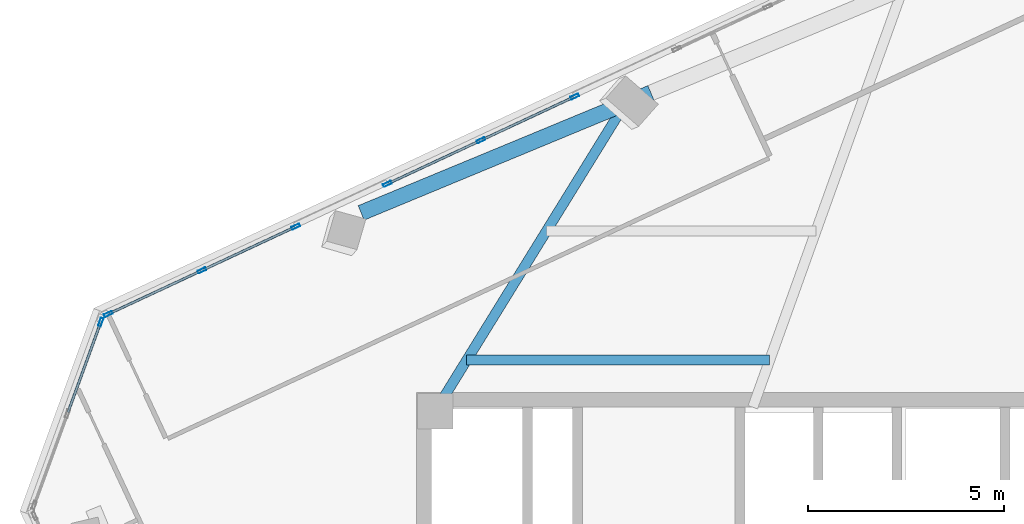
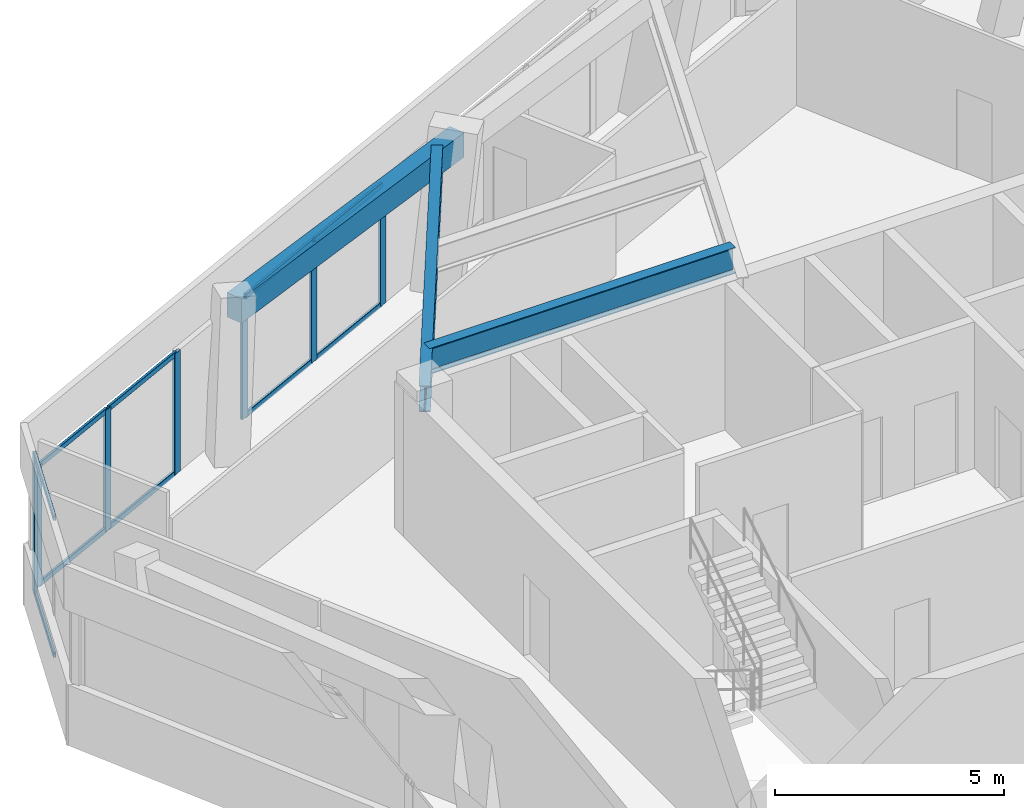
# One storey, part 8 of 16: 17 members, 3 beams, 3 elements without a shape of their own.
"""IFC4 building model written with IfcOpenShell, lengths in metres."""

import ifcopenshell
import ifcopenshell.guid

model = None  # the IFC model being written
_history = None  # IfcOwnerHistory: only IFC2X3 demands one
_inside = {}  # id of a spatial element -> (the spatial element, [elements in it])
_under = {}  # id of a project, library or spatial element -> (it, [spatial elements below it])
_declared = {}  # id of a project -> (the project, [libraries it declares])
_typed = {}  # id of a type object -> (the type object, [elements of that type])
_made_of = {}  # id of a material, layer set ... -> (it, [elements and type objects made of it])


def new_model(schema):
    """Start an empty IFC model of exactly this schema.

    Asked for "IFC4X3", IfcOpenShell would pick the latest addendum, in which some entities
    have other attributes; the version numbers below select the first issue.
    IFC2X3 requires an IfcOwnerHistory on every rooted entity: one is made here for all.
    """
    global model, _history
    if schema == "IFC4X3":
        model = ifcopenshell.file(schema_version=(4, 3, 0, 0))
    else:
        model = ifcopenshell.file(schema=schema)
    _inside.clear()
    _under.clear()
    _declared.clear()
    _typed.clear()
    _made_of.clear()
    _history = None
    if model.schema == "IFC2X3":
        org = make("IfcOrganization", Name="unknown")
        user = make(
            "IfcPersonAndOrganization",
            ThePerson=make("IfcPerson", FamilyName="unknown"),
            TheOrganization=org,
        )
        app = make(
            "IfcApplication",
            ApplicationDeveloper=org,
            Version="unknown",
            ApplicationFullName="unknown",
            ApplicationIdentifier="unknown",
        )
        _history = make(
            "IfcOwnerHistory",
            OwningUser=user,
            OwningApplication=app,
            ChangeAction="ADDED",
            CreationDate=0,
        )
    return model


def make(cls, **values):
    """One entity of the class cls with the attributes given. An attribute that is None is left unset."""
    return model.create_entity(
        cls, **{name: value for name, value in values.items() if value is not None}
    )


def rooted(cls, **values):
    """An entity with a GlobalId (a new one), such as an element, a storey or a relation."""
    return make(cls, GlobalId=ifcopenshell.guid.new(), OwnerHistory=_history, **values)


def si_unit(unit_type, name, prefix=None):
    """IfcSIUnit, for example si_unit("LENGTHUNIT", "METRE", prefix="MILLI")."""
    return make("IfcSIUnit", UnitType=unit_type, Prefix=prefix, Name=name)


def assignment(units):
    """IfcUnitAssignment: the units of a project."""
    return None if units is None else make("IfcUnitAssignment", Units=units)


def point(xyz):
    """IfcCartesianPoint."""
    return None if xyz is None else make("IfcCartesianPoint", Coordinates=xyz)


def direction(xyz):
    """IfcDirection."""
    return None if xyz is None else make("IfcDirection", DirectionRatios=xyz)


def frame(location, z_axis=None, x_axis=None):
    """IfcAxis2Placement3D, a coordinate frame: its origin and axes. An axis left out is left unset."""
    return make(
        "IfcAxis2Placement3D",
        Location=point(location),
        Axis=direction(z_axis),
        RefDirection=direction(x_axis),
    )


def frame_2d(location, x_axis=None):
    """IfcAxis2Placement2D, a coordinate frame in the plane: its origin and x axis."""
    return make(
        "IfcAxis2Placement2D", Location=point(location), RefDirection=direction(x_axis)
    )


def origin():
    """The frame at (0, 0, 0) with its axes left unset."""
    return frame((0.0, 0.0, 0.0))


def origin_2d():
    """The frame at (0, 0) in the plane with its x axis left unset."""
    return frame_2d((0.0, 0.0))


def place(relative_to, where):
    """IfcLocalPlacement: puts the frame where relative to a parent placement (None: the world)."""
    return make(
        "IfcLocalPlacement", PlacementRelTo=relative_to, RelativePlacement=where
    )


def context(
    kind, dimensions, precision=None, world=None, true_north=None, identifier=None
):
    """IfcGeometricRepresentationContext, for example the 3D "Model" context."""
    return make(
        "IfcGeometricRepresentationContext",
        ContextIdentifier=identifier,
        ContextType=kind,
        CoordinateSpaceDimension=dimensions,
        Precision=precision,
        WorldCoordinateSystem=world,
        TrueNorth=true_north,
    )


def subcontext(parent, identifier, kind, view, scale=None):
    """IfcGeometricRepresentationSubContext, for example "Body" below "Model"."""
    return make(
        "IfcGeometricRepresentationSubContext",
        ContextIdentifier=identifier,
        ContextType=kind,
        ParentContext=parent,
        TargetScale=scale,
        TargetView=view,
    )


def project(units=None, contexts=None):
    """IfcProject with its units and contexts."""
    return rooted(
        "IfcProject",
        Name="project",
        RepresentationContexts=contexts,
        UnitsInContext=assignment(units),
    )


def spatial(cls, under=None, at=None, **own):
    """A site, building, storey or space (cls), placed at a placement, below another one or the project."""
    s = rooted(cls, ObjectPlacement=at, **own)
    if under is not None:
        _under.setdefault(under.id(), (under, []))[1].append(s)
    return s


def profile(cls, at=None, kind="AREA", **sizes):
    """A parametric profile (cls). Its sizes go by their IFC names, for example OverallWidth=200.0."""
    return make(cls, ProfileType=kind, Position=at, **sizes)


def rectangle(**sizes):
    """IfcRectangleProfileDef."""
    return profile("IfcRectangleProfileDef", **sizes)


def hollow_rectangle(**sizes):
    """IfcRectangleHollowProfileDef."""
    return profile("IfcRectangleHollowProfileDef", **sizes)


def i_section(**sizes):
    """IfcIShapeProfileDef."""
    return profile("IfcIShapeProfileDef", **sizes)


def extrude(swept, where, along, depth):
    """IfcExtrudedAreaSolid: the profile swept, set in the frame where, extruded along a direction by depth."""
    return make(
        "IfcExtrudedAreaSolid",
        SweptArea=swept,
        Position=where,
        ExtrudedDirection=direction(along),
        Depth=depth,
    )


def shape(context_of_items, identifier, shape_type, items):
    """IfcShapeRepresentation: the items that make up one representation, for example the "Body"."""
    return make(
        "IfcShapeRepresentation",
        ContextOfItems=context_of_items,
        RepresentationIdentifier=identifier,
        RepresentationType=shape_type,
        Items=items,
    )


def source(mapping_origin, context_of_items, identifier, shape_type, items):
    """IfcRepresentationMap: a shape defined once, which mapped items show again and again."""
    return make(
        "IfcRepresentationMap",
        MappingOrigin=mapping_origin,
        MappedRepresentation=shape(context_of_items, identifier, shape_type, items),
    )


def transform(
    local_origin,
    x_axis=None,
    y_axis=None,
    z_axis=None,
    scale=None,
    scale2=None,
    scale3=None,
    uniform=True,
):
    """IfcCartesianTransformationOperator3D, or its non-uniform kind. x_axis, y_axis, z_axis: its Axis1, 2, 3."""
    if uniform:
        return make(
            "IfcCartesianTransformationOperator3D",
            Axis1=direction(x_axis),
            Axis2=direction(y_axis),
            LocalOrigin=point(local_origin),
            Scale=scale,
            Axis3=direction(z_axis),
        )
    return make(
        "IfcCartesianTransformationOperator3DnonUniform",
        Axis1=direction(x_axis),
        Axis2=direction(y_axis),
        LocalOrigin=point(local_origin),
        Scale=scale,
        Axis3=direction(z_axis),
        Scale2=scale2,
        Scale3=scale3,
    )


def mapped(mapping_source, mapping_target):
    """IfcMappedItem: shows the shape of a source again, moved by a transform."""
    return make(
        "IfcMappedItem", MappingSource=mapping_source, MappingTarget=mapping_target
    )


def material(Name=None, Category=None):
    """IfcMaterial."""
    return make("IfcMaterial", Name=Name, Category=Category)


def material_profile(
    of_material, cross_section, Name=None, Category=None, Priority=None
):
    """IfcMaterialProfile: a cross section and its material."""
    return make(
        "IfcMaterialProfile",
        Name=Name,
        Material=of_material,
        Profile=cross_section,
        Priority=Priority,
        Category=Category,
    )


def profile_set(profiles, Name=None, composite=None):
    """IfcMaterialProfileSet."""
    return make(
        "IfcMaterialProfileSet",
        Name=Name,
        MaterialProfiles=profiles,
        CompositeProfile=composite,
    )


def made_of(thing, what):
    """Note that an element or type object is made of a material, layer set ...; save() writes the relation."""
    if what is not None:
        _made_of.setdefault(what.id(), (what, []))[1].append(thing)
    return thing


def type_object(cls, material=None, **own):
    """A type object (cls), such as IfcWallType, which elements share."""
    return made_of(rooted(cls, **own), material)


def element(
    cls,
    number,
    at=None,
    inside=None,
    cuts=None,
    type_object=None,
    material=None,
    context=None,
    identifier="Body",
    shape_type=None,
    held_by="IfcProductDefinitionShape",
    body=None,
    shapes=None,
    **own,
):
    """One element of the class cls, such as IfcWall. Its Tag is "e" and its number.

    at: its placement. inside: the storey or other place that contains it. cuts: it is an
    opening in that element (IfcRelVoidsElement). A single representation is given by context,
    identifier, shape_type and body (its items); several are given by shapes. held_by: the class
    of the entity that holds the representations. save() writes the other relations.
    """
    e = rooted(cls, Tag="e%d" % number, ObjectPlacement=at, **own)
    if body is not None:
        shapes = [shape(context, identifier, shape_type, body)]
    if shapes is not None:
        e.Representation = make(held_by, Representations=shapes)
    if inside is not None:
        _inside.setdefault(inside.id(), (inside, []))[1].append(e)
    if cuts is not None:
        rooted(
            "IfcRelVoidsElement", RelatingBuildingElement=cuts, RelatedOpeningElement=e
        )
    if type_object is not None:
        _typed.setdefault(type_object.id(), (type_object, []))[1].append(e)
    return made_of(e, material)


def aggregate(whole, parts):
    """IfcRelAggregates: a whole, such as a stair, and the parts it consists of."""
    return rooted("IfcRelAggregates", RelatingObject=whole, RelatedObjects=parts)


def save(model, path):
    """Write the relations noted so far, then the file.

    IfcRelAggregates (storeys below a building ...), IfcRelContainedInSpatialStructure (elements
    in a storey), IfcRelDefinesByType, IfcRelAssociatesMaterial and IfcRelDeclares: one each for
    every whole, place, type object, material and project.
    """
    for whole, parts in _under.values():
        aggregate(whole, parts)
    for where, things in _inside.values():
        rooted(
            "IfcRelContainedInSpatialStructure",
            RelatedElements=things,
            RelatingStructure=where,
        )
    for kind, things in _typed.values():
        rooted("IfcRelDefinesByType", RelatedObjects=things, RelatingType=kind)
    for what, things in _made_of.values():
        rooted("IfcRelAssociatesMaterial", RelatedObjects=things, RelatingMaterial=what)
    for by, libraries in _declared.values():
        rooted("IfcRelDeclares", RelatingContext=by, RelatedDefinitions=libraries)
    model.write(path)


model = new_model("IFC4")

# Units and contexts
model_context = context("Model", 3, precision=1e-05, world=origin(), true_north=direction((0.0, 1.0)))
body_context = subcontext(model_context, "Body", "Model", "MODEL_VIEW")
ifc_project = project(units=[si_unit("LENGTHUNIT", "METRE"), si_unit("AREAUNIT", "SQUARE_METRE"), si_unit("VOLUMEUNIT", "CUBIC_METRE"), si_unit("PLANEANGLEUNIT", "RADIAN"), si_unit("MASSUNIT", "GRAM", prefix="KILO")], contexts=[model_context])

# Site, building, storey
site_placement = place(None, origin())
site = spatial("IfcSite", under=ifc_project, at=site_placement, CompositionType="ELEMENT")
building_placement = place(site_placement, origin())
building = spatial("IfcBuilding", under=site, at=building_placement, Name="Torre Montelarca", CompositionType="ELEMENT")
storey_placement = place(building_placement, frame((0.0, 0.0, 345.0)))
storey = spatial("IfcBuildingStorey", under=building, at=storey_placement, Name="L78", CompositionType="ELEMENT", Elevation=345.0)

# Beams
ifc_material_1 = material(Name="Concrete C40/50", Category="concrete")
ifc_material_profile_1 = material_profile(ifc_material_1, rectangle(XDim=0.39990234375, YDim=0.64990234375, at=origin_2d()), Name="RCB400X650", Category="concrete")
ifc_profile_set_1 = profile_set([ifc_material_profile_1], Name="Concrete C40/50")
beam_type_1 = type_object("IfcBeamType", Name="BM-SP-RC650-EXT", PredefinedType="SPANDREL", material=ifc_profile_set_1)
shared_shape_1 = source(origin(), body_context, "Body", "SweptSolid", [
    extrude(rectangle(XDim=0.39990234375, YDim=0.64990234375, at=origin_2d()), origin(), (0.0, 0.0, 1.0), 8.0),
])
beam_1_placement = place(storey_placement, frame((7.66064453125, 44.505859375, 3.594970703125), z_axis=(0.923878468529, 0.382686001036, 0.0), x_axis=(-0.382686001036, 0.923878468529, 0.0)))
element("IfcBeam", 1, at=beam_1_placement, inside=storey, type_object=beam_type_1, Name="L78 Grid Girder Y 24.0-32.0 at X=4.7", PredefinedType="SPANDREL", context=body_context, shape_type="MappedRepresentation", body=[
    mapped(shared_shape_1, transform((0.0, 0.0, 0.0), scale=1.0)),
])
ifc_material_2 = material(Name="Steel ASTM A992 Grade 50", Category="steel")
ifc_material_profile_2 = material_profile(ifc_material_2, i_section(OverallWidth=0.256103515625, OverallDepth=0.693115234375, WebThickness=0.014404296875, FlangeThickness=0.023681640625, FilletRadius=0.01806640625, at=origin_2d()), Name="W690X170", Category="steel")
ifc_profile_set_2 = profile_set([ifc_material_profile_2], Name="Steel ASTM A992 Grade 50")
beam_type_2 = type_object("IfcBeamType", Name="BM-G-W690", PredefinedType="BEAM", material=ifc_profile_set_2)
shared_shape_2 = source(origin(), body_context, "Body", "SweptSolid", [
    extrude(i_section(OverallWidth=0.256103515625, OverallDepth=0.693115234375, WebThickness=0.014404296875, FlangeThickness=0.023681640625, FilletRadius=0.01806640625, at=origin_2d()), origin(), (0.0, 0.0, 1.0), 9.19189453125),
])
beam_2_placement = place(storey_placement, frame((9.550048828125, 39.449951171875, 3.573486328125), z_axis=(0.525340195103, 0.850892284257, 0.0), x_axis=(-0.850892284257, 0.525340195103, 0.0)))
element("IfcBeam", 2, at=beam_2_placement, inside=storey, type_object=beam_type_2, Name="L78 Crown Stair ST5 West Support Girder", PredefinedType="BEAM", context=body_context, shape_type="MappedRepresentation", body=[
    mapped(shared_shape_2, transform((0.0, 0.0, 0.0), scale=1.0)),
])
shared_shape_3 = source(origin(), body_context, "Body", "SweptSolid", [
    extrude(i_section(OverallWidth=0.256103515625, OverallDepth=0.693115234375, WebThickness=0.014404296875, FlangeThickness=0.023681640625, FilletRadius=0.01806640625, at=origin_2d()), origin(), (0.0, 0.0, 1.0), 7.7275390625),
])
beam_3_placement = place(storey_placement, frame((10.3525390625, 40.75, 3.573486328125), z_axis=(1.0, 0.0, 0.0), x_axis=(0.0, 1.0, 0.0)))
element("IfcBeam", 3, at=beam_3_placement, inside=storey, type_object=beam_type_2, Name="L78 Crown Stair ST5 Transverse Trimmer 1", PredefinedType="BEAM", context=body_context, shape_type="MappedRepresentation", body=[
    mapped(shared_shape_3, transform((0.0, 0.0, 0.0), scale=1.0)),
])

# Curtain wall, members
ifc_material_3 = material(Name="Insulated low-E laminated glass", Category="glass")
curtain_wall_type = type_object("IfcCurtainWallType", Name="CW-SYS-Z4", PredefinedType="USERDEFINED", material=ifc_material_3)
curtain_wall_1_placement = place(storey_placement, origin())
curtain_wall_1 = element("IfcCurtainWall", 4, at=curtain_wall_1_placement, inside=storey, type_object=curtain_wall_type, Name="L78 Curtain Wall Run CW-T3-L78-E11-B1", ObjectType="UNITISED GLAZING", PredefinedType="USERDEFINED")
ifc_material_4 = material(Name="Anodised aluminium AA 6063-T6", Category="aluminium")
ifc_material_profile_3 = material_profile(ifc_material_4, hollow_rectangle(XDim=0.074951171875, YDim=0.219970703125, WallThickness=0.0048828125, InnerFilletRadius=0.0048828125, OuterFilletRadius=0.010009765625, at=origin_2d()), Name="ALU75X220X5", Category="aluminium")
ifc_profile_set_3 = profile_set([ifc_material_profile_3], Name="Anodised aluminium AA 6063-T6")
member_type_1 = type_object("IfcMemberType", Name="CWM-ALU220", PredefinedType="MULLION", material=ifc_profile_set_3)
shared_shape_4 = source(origin(), body_context, "Body", "SweptSolid", [
    extrude(hollow_rectangle(XDim=0.074951171875, YDim=0.219970703125, WallThickness=0.0048828125, InnerFilletRadius=0.0048828125, OuterFilletRadius=0.010009765625, at=origin_2d()), origin(), (0.0, 0.0, 1.0), 3.719970703125),
])
member_1_placement = place(storey_placement, frame((1.021484375, 41.72021484375, 0.0), z_axis=(0.0, 0.0, 1.0), x_axis=(0.939694365175, -0.342015350618, 0.0)))
member_1 = element("IfcMember", 5, at=member_1_placement, type_object=member_type_1, Name="CW mullion 1", PredefinedType="MULLION", context=body_context, shape_type="MappedRepresentation", body=[
    mapped(shared_shape_4, transform((0.0, 0.0, 0.0), scale=1.0)),
])
ifc_material_profile_4 = material_profile(ifc_material_4, hollow_rectangle(XDim=0.06494140625, YDim=0.139892578125, WallThickness=0.00390625, InnerFilletRadius=0.00390625, OuterFilletRadius=0.008056640625, at=origin_2d()), Name="ALU65X140X4", Category="aluminium")
ifc_profile_set_4 = profile_set([ifc_material_profile_4], Name="Anodised aluminium AA 6063-T6")
member_type_2 = type_object("IfcMemberType", Name="CWT-ALU140", PredefinedType="USERDEFINED", material=ifc_profile_set_4)
shared_shape_5 = source(origin(), body_context, "Body", "SweptSolid", [
    extrude(hollow_rectangle(XDim=0.06494140625, YDim=0.139892578125, WallThickness=0.00390625, InnerFilletRadius=0.00390625, OuterFilletRadius=0.008056640625, at=origin_2d()), origin(), (0.0, 0.0, 1.0), 2.40869140625),
])
member_2_placement = place(storey_placement, frame((1.008544921875, 41.68505859375, 0.032470703125), z_axis=(-0.341987202353, -0.939704609666, 0.0), x_axis=(0.939704609666, -0.341987202353, 0.0)))
member_2 = element("IfcMember", 6, at=member_2_placement, type_object=member_type_2, Name="CW transom 1.1", ObjectType="TRANSOM", PredefinedType="USERDEFINED", context=body_context, shape_type="MappedRepresentation", body=[
    mapped(shared_shape_5, transform((0.0, 0.0, 0.0), scale=1.0)),
])
member_3_placement = place(storey_placement, frame((1.008544921875, 41.68505859375, 3.6875), z_axis=(-0.341987202353, -0.939704609666, 0.0), x_axis=(0.939704609666, -0.341987202353, 0.0)))
member_3 = element("IfcMember", 7, at=member_3_placement, type_object=member_type_2, Name="CW transom 1.2", ObjectType="TRANSOM", PredefinedType="USERDEFINED", context=body_context, shape_type="MappedRepresentation", body=[
    mapped(shared_shape_5, transform((0.0, 0.0, 0.0), scale=1.0)),
])
aggregate(curtain_wall_1, [member_1, member_2, member_3])

curtain_wall_2_placement = place(storey_placement, origin())
curtain_wall_2 = element("IfcCurtainWall", 8, at=curtain_wall_2_placement, inside=storey, type_object=curtain_wall_type, Name="L78 Curtain Wall Run CW-T3-L78-E10-B3", ObjectType="UNITISED GLAZING", PredefinedType="USERDEFINED")
shared_shape_6 = source(origin(), body_context, "Body", "SweptSolid", [
    extrude(hollow_rectangle(XDim=0.06494140625, YDim=0.139892578125, WallThickness=0.00390625, InnerFilletRadius=0.00390625, OuterFilletRadius=0.008056640625, at=origin_2d()), origin(), (0.0, 0.0, 1.0), 2.564697265625),
])
member_4_placement = place(storey_placement, frame((5.958740234375, 44.13916015625, 0.032470703125), z_axis=(-0.906333862765, -0.422562337655, 0.0), x_axis=(0.422562337655, -0.906333862765, 0.0)))
member_4 = element("IfcMember", 9, at=member_4_placement, type_object=member_type_2, Name="CW transom 1.1", ObjectType="TRANSOM", PredefinedType="USERDEFINED", context=body_context, shape_type="MappedRepresentation", body=[
    mapped(shared_shape_6, transform((0.0, 0.0, 0.0), scale=1.0)),
])
member_5_placement = place(storey_placement, frame((5.958740234375, 44.13916015625, 3.202392578125), z_axis=(-0.906333862765, -0.422562337655, 0.0), x_axis=(0.422562337655, -0.906333862765, 0.0)))
member_5 = element("IfcMember", 10, at=member_5_placement, type_object=member_type_2, Name="CW transom 1.2", ObjectType="TRANSOM", PredefinedType="USERDEFINED", context=body_context, shape_type="MappedRepresentation", body=[
    mapped(shared_shape_6, transform((0.0, 0.0, 0.0), scale=1.0)),
])
member_6_placement = place(storey_placement, frame((3.56640625, 43.023681640625, 0.032470703125), z_axis=(-0.906333862765, -0.422562337655, 0.0), x_axis=(0.422562337655, -0.906333862765, 0.0)))
member_6 = element("IfcMember", 11, at=member_6_placement, type_object=member_type_2, Name="CW transom 2.1", ObjectType="TRANSOM", PredefinedType="USERDEFINED", context=body_context, shape_type="MappedRepresentation", body=[
    mapped(shared_shape_6, transform((0.0, 0.0, 0.0), scale=1.0)),
])
member_7_placement = place(storey_placement, frame((3.56640625, 43.023681640625, 3.202392578125), z_axis=(-0.906333862765, -0.422562337655, 0.0), x_axis=(0.422562337655, -0.906333862765, 0.0)))
member_7 = element("IfcMember", 12, at=member_7_placement, type_object=member_type_2, Name="CW transom 2.2", ObjectType="TRANSOM", PredefinedType="USERDEFINED", context=body_context, shape_type="MappedRepresentation", body=[
    mapped(shared_shape_6, transform((0.0, 0.0, 0.0), scale=1.0)),
])

curtain_wall_3_placement = place(storey_placement, origin())
curtain_wall_3 = element("IfcCurtainWall", 13, at=curtain_wall_3_placement, inside=storey, type_object=curtain_wall_type, Name="L78 Curtain Wall Run CW-T3-L78-E10-B2", ObjectType="UNITISED GLAZING", PredefinedType="USERDEFINED")
shared_shape_7 = source(origin(), body_context, "Body", "SweptSolid", [
    extrude(hollow_rectangle(XDim=0.074951171875, YDim=0.219970703125, WallThickness=0.0048828125, InnerFilletRadius=0.0048828125, OuterFilletRadius=0.010009765625, at=origin_2d()), origin(), (0.0, 0.0, 1.0), 3.235107421875),
])
member_8_placement = place(storey_placement, frame((13.107177734375, 47.47265625, 0.0), z_axis=(0.0, 0.0, 1.0), x_axis=(0.422616198116, -0.906308749318, 0.0)))
member_8 = element("IfcMember", 14, at=member_8_placement, type_object=member_type_1, Name="CW mullion 1", PredefinedType="MULLION", context=body_context, shape_type="MappedRepresentation", body=[
    mapped(shared_shape_7, transform((0.0, 0.0, 0.0), scale=1.0)),
])
member_9_placement = place(storey_placement, frame((10.718017578125, 46.358642578125, 0.0), z_axis=(0.0, 0.0, 1.0), x_axis=(0.422616198116, -0.906308749318, 0.0)))
member_9 = element("IfcMember", 15, at=member_9_placement, type_object=member_type_1, Name="CW mullion 2", PredefinedType="MULLION", context=body_context, shape_type="MappedRepresentation", body=[
    mapped(shared_shape_7, transform((0.0, 0.0, 0.0), scale=1.0)),
])
member_10_placement = place(storey_placement, frame((8.32861328125, 45.244384765625, 0.0), z_axis=(0.0, 0.0, 1.0), x_axis=(0.422616198116, -0.906308749318, 0.0)))
member_10 = element("IfcMember", 16, at=member_10_placement, type_object=member_type_1, Name="CW mullion 3", PredefinedType="MULLION", context=body_context, shape_type="MappedRepresentation", body=[
    mapped(shared_shape_7, transform((0.0, 0.0, 0.0), scale=1.0)),
])

# Member
member_11_placement = place(storey_placement, frame((5.99267578125, 44.155029296875, 0.0), z_axis=(0.0, 0.0, 1.0), x_axis=(0.422602223796, -0.90631526548, 0.0)))
member_11 = element("IfcMember", 17, at=member_11_placement, type_object=member_type_1, Name="CW mullion 1", PredefinedType="MULLION", context=body_context, shape_type="MappedRepresentation", body=[
    mapped(shared_shape_7, transform((0.0, 0.0, 0.0), scale=1.0)),
])

member_12_placement = place(storey_placement, frame((3.600341796875, 43.03955078125, 0.0), z_axis=(0.0, 0.0, 1.0), x_axis=(0.422602223796, -0.90631526548, 0.0)))
member_12 = element("IfcMember", 18, at=member_12_placement, type_object=member_type_1, Name="CW mullion 2", PredefinedType="MULLION", context=body_context, shape_type="MappedRepresentation", body=[
    mapped(shared_shape_7, transform((0.0, 0.0, 0.0), scale=1.0)),
])

member_13_placement = place(storey_placement, frame((1.2080078125, 41.924072265625, 0.0), z_axis=(0.0, 0.0, 1.0), x_axis=(0.422602223796, -0.90631526548, 0.0)))
member_13 = element("IfcMember", 19, at=member_13_placement, type_object=member_type_1, Name="CW mullion 3", PredefinedType="MULLION", context=body_context, shape_type="MappedRepresentation", body=[
    mapped(shared_shape_7, transform((0.0, 0.0, 0.0), scale=1.0)),
])

aggregate(curtain_wall_2, [member_11, member_12, member_13, member_4, member_5, member_6, member_7])

shared_shape_8 = source(origin(), body_context, "Body", "SweptSolid", [
    extrude(hollow_rectangle(XDim=0.06494140625, YDim=0.139892578125, WallThickness=0.00390625, InnerFilletRadius=0.00390625, OuterFilletRadius=0.008056640625, at=origin_2d()), origin(), (0.0, 0.0, 1.0), 2.561279296875),
])
member_14_placement = place(storey_placement, frame((13.0732421875, 47.456787109375, 0.032470703125), z_axis=(-0.906331634982, -0.422567115889, 0.0), x_axis=(0.422567115889, -0.906331634982, 0.0)))
member_14 = element("IfcMember", 20, at=member_14_placement, type_object=member_type_2, Name="CW transom 1.1", ObjectType="TRANSOM", PredefinedType="USERDEFINED", context=body_context, shape_type="MappedRepresentation", body=[
    mapped(shared_shape_8, transform((0.0, 0.0, 0.0), scale=1.0)),
])

member_15_placement = place(storey_placement, frame((13.0732421875, 47.456787109375, 3.202392578125), z_axis=(-0.906331634982, -0.422567115889, 0.0), x_axis=(0.422567115889, -0.906331634982, 0.0)))
member_15 = element("IfcMember", 21, at=member_15_placement, type_object=member_type_2, Name="CW transom 1.2", ObjectType="TRANSOM", PredefinedType="USERDEFINED", context=body_context, shape_type="MappedRepresentation", body=[
    mapped(shared_shape_8, transform((0.0, 0.0, 0.0), scale=1.0)),
])

shared_shape_9 = source(origin(), body_context, "Body", "SweptSolid", [
    extrude(hollow_rectangle(XDim=0.06494140625, YDim=0.139892578125, WallThickness=0.00390625, InnerFilletRadius=0.00390625, OuterFilletRadius=0.008056640625, at=origin_2d()), origin(), (0.0, 0.0, 1.0), 2.56103515625),
])
member_16_placement = place(storey_placement, frame((10.683837890625, 46.3427734375, 0.032470703125), z_axis=(-0.906278096682, -0.422681927073, 0.0), x_axis=(0.422681927073, -0.906278096682, 0.0)))
member_16 = element("IfcMember", 22, at=member_16_placement, type_object=member_type_2, Name="CW transom 2.1", ObjectType="TRANSOM", PredefinedType="USERDEFINED", context=body_context, shape_type="MappedRepresentation", body=[
    mapped(shared_shape_9, transform((0.0, 0.0, 0.0), scale=1.0)),
])

member_17_placement = place(storey_placement, frame((10.683837890625, 46.3427734375, 3.202392578125), z_axis=(-0.906278096682, -0.422681927073, 0.0), x_axis=(0.422681927073, -0.906278096682, 0.0)))
member_17 = element("IfcMember", 23, at=member_17_placement, type_object=member_type_2, Name="CW transom 2.2", ObjectType="TRANSOM", PredefinedType="USERDEFINED", context=body_context, shape_type="MappedRepresentation", body=[
    mapped(shared_shape_9, transform((0.0, 0.0, 0.0), scale=1.0)),
])

aggregate(curtain_wall_3, [member_8, member_9, member_10, member_14, member_15, member_16, member_17])

save(model, "model.ifc")
